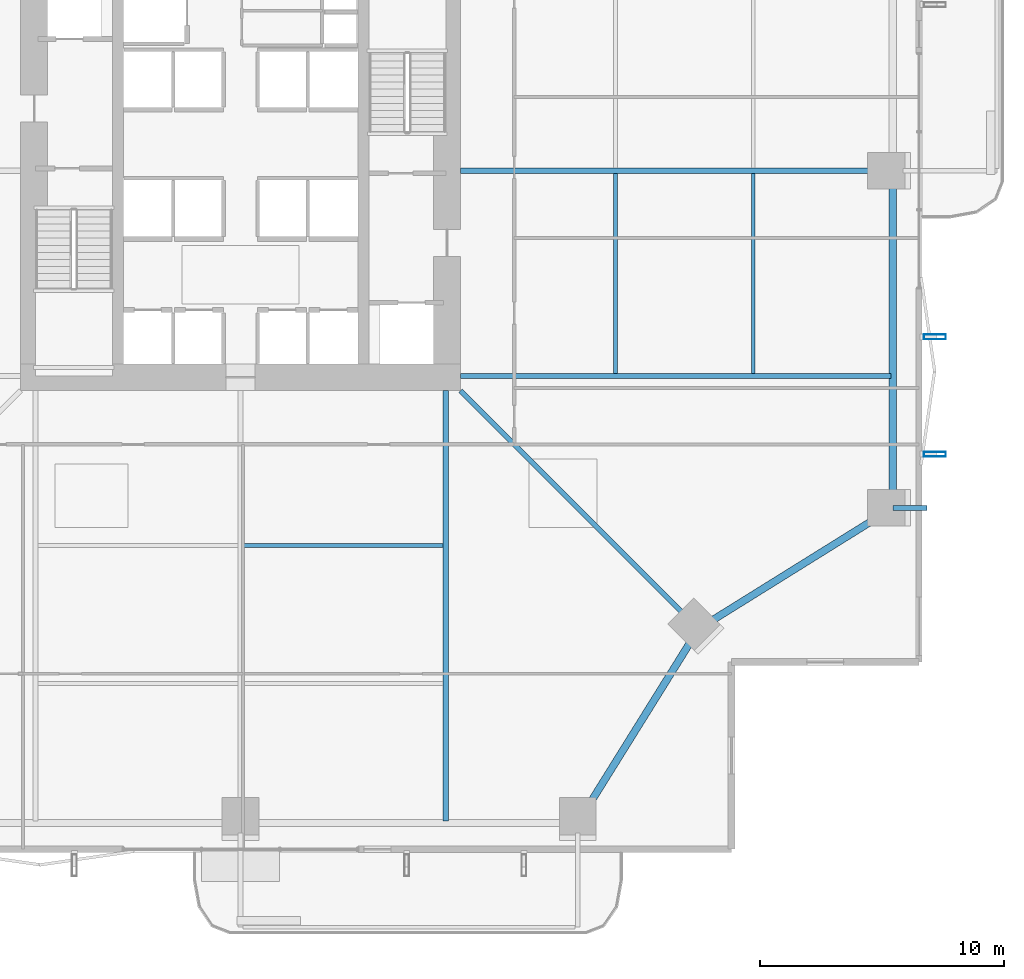
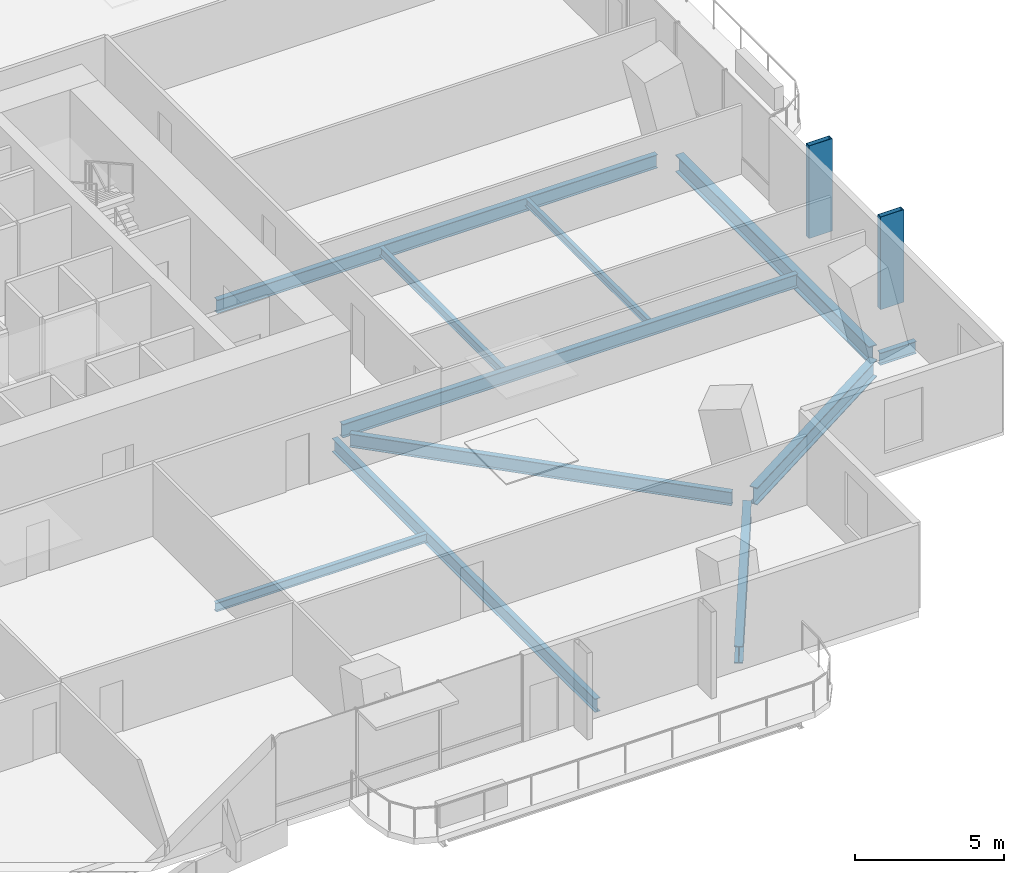
# One storey, part 7 of 24: 11 beams, 2 members.
"""IFC4 building model written with IfcOpenShell, lengths in metres."""

from ifc_helpers import new_model, si_unit, direction, frame, origin, origin_2d, place, context, subcontext, project, spatial, hollow_rectangle, i_section, extrude, material, material_profile, profile_set, type_object, element, save


model = new_model("IFC4")

# Units and contexts
model_context = context("Model", 3, precision=1e-05, world=origin(), true_north=direction((0.0, 1.0)))
body_context = subcontext(model_context, "Body", "Model", "MODEL_VIEW")
ifc_project = project(units=[si_unit("LENGTHUNIT", "METRE"), si_unit("AREAUNIT", "SQUARE_METRE"), si_unit("VOLUMEUNIT", "CUBIC_METRE"), si_unit("PLANEANGLEUNIT", "RADIAN"), si_unit("MASSUNIT", "GRAM", prefix="KILO")], contexts=[model_context])

# Site, building, storey
site_placement = place(None, origin())
site = spatial("IfcSite", under=ifc_project, at=site_placement, CompositionType="ELEMENT")
building_placement = place(site_placement, origin())
building = spatial("IfcBuilding", under=site, at=building_placement, Name="Belovzor Exchange Tower", CompositionType="ELEMENT")
storey_placement = place(building_placement, frame((0.0, 0.0, 104.10009765625)))
storey = spatial("IfcBuildingStorey", under=building, at=storey_placement, Name="L25", CompositionType="ELEMENT", Elevation=104.10009765625)

# Beams
ifc_material_1 = material(Name="Steel S355", Category="steel")
ifc_material_profile_1 = material_profile(ifc_material_1, i_section(OverallWidth=0.199951171875, OverallDepth=0.5, WebThickness=0.01025390625, FlangeThickness=0.01611328125, at=origin_2d()))
ifc_profile_set_1 = profile_set([ifc_material_profile_1], Name="Steel S355")
beam_type_1 = type_object("IfcBeamType", Name="Planted Balcony Cantilever Beam IPE 500", PredefinedType="BEAM", material=ifc_profile_set_1)
beam_1_placement = place(storey_placement, frame((55.5, 15.0, -0.5), z_axis=(1.0, 0.0, 0.0), x_axis=(0.0, 1.0, 0.0)))
element("IfcBeam", 1, at=beam_1_placement, inside=storey, type_object=beam_type_1, Name="BC-500 Planted Balcony Cantilever Beam IPE 500", PredefinedType="BEAM", context=body_context, shape_type="SweptSolid", body=[
    extrude(i_section(OverallWidth=0.199951171875, OverallDepth=0.5, WebThickness=0.01025390625, FlangeThickness=0.01611328125, at=origin_2d()), origin(), (0.0, 0.0, 1.0), 1.39990234375),
])
ifc_material_2 = material(Name="Steel S355", Category="steel")
ifc_material_profile_2 = material_profile(ifc_material_2, i_section(OverallWidth=0.169921875, OverallDepth=0.360107421875, WebThickness=0.008056640625, FlangeThickness=0.0126953125, at=origin_2d()))
ifc_profile_set_2 = profile_set([ifc_material_profile_2], Name="Steel S355")
beam_type_2 = type_object("IfcBeamType", Name="Secondary Infill Floor Joist IPE 360", PredefinedType="BEAM", material=ifc_profile_set_2)
beam_2_placement = place(storey_placement, frame((28.905029296875, 13.455078125, -0.43017578125), z_axis=(1.0, 0.0, 0.0), x_axis=(0.0, 1.0, 0.0)))
element("IfcBeam", 2, at=beam_2_placement, inside=storey, type_object=beam_type_2, Name="FJ-360 Secondary Infill Floor Joist IPE 360", PredefinedType="BEAM", context=body_context, shape_type="SweptSolid", body=[
    extrude(i_section(OverallWidth=0.169921875, OverallDepth=0.360107421875, WebThickness=0.008056640625, FlangeThickness=0.0126953125, at=origin_2d()), origin(), (0.0, 0.0, 1.0), 8.18994140625),
])
beam_3_placement = place(storey_placement, frame((44.14501953125, 20.5048828125, -0.43017578125), z_axis=(0.0, 1.0, 0.0), x_axis=(-1.0, 0.0, 0.0)))
element("IfcBeam", 3, at=beam_3_placement, inside=storey, type_object=beam_type_2, Name="FJ-360 Secondary Infill Floor Joist IPE 360", PredefinedType="BEAM", context=body_context, shape_type="SweptSolid", body=[
    extrude(i_section(OverallWidth=0.169921875, OverallDepth=0.360107421875, WebThickness=0.008056640625, FlangeThickness=0.0126953125, at=origin_2d()), origin(), (0.0, 0.0, 1.0), 8.190185546875),
])
ifc_material_3 = material(Name="Steel S355", Category="steel")
ifc_material_profile_3 = material_profile(ifc_material_3, i_section(OverallWidth=0.14990234375, OverallDepth=0.300048828125, WebThickness=0.007080078125, FlangeThickness=0.0107421875, at=origin_2d()))
ifc_profile_set_3 = profile_set([ifc_material_profile_3], Name="Steel S355")
beam_type_3 = type_object("IfcBeamType", Name="Secondary Trim Floor Joist IPE 300", PredefinedType="BEAM", material=ifc_profile_set_3)
beam_4_placement = place(storey_placement, frame((49.784912109375, 20.5048828125, -0.400146484375), z_axis=(0.0, 1.0, 0.0), x_axis=(-1.0, 0.0, 0.0)))
element("IfcBeam", 4, at=beam_4_placement, inside=storey, type_object=beam_type_3, Name="FJ-300 Secondary Trim Floor Joist IPE 300", PredefinedType="BEAM", context=body_context, shape_type="SweptSolid", body=[
    extrude(i_section(OverallWidth=0.14990234375, OverallDepth=0.300048828125, WebThickness=0.007080078125, FlangeThickness=0.0107421875, at=origin_2d()), origin(), (0.0, 0.0, 1.0), 8.190185546875),
])

# Members
ifc_material_4 = material(Name="Extruded Architectural Terracotta on Steel S355 Carrier", Category="masonry")
ifc_material_profile_4 = material_profile(ifc_material_4, hollow_rectangle(XDim=0.199951171875, YDim=0.89990234375, WallThickness=0.011962890625, at=origin_2d()))
ifc_profile_set_4 = profile_set([ifc_material_profile_4], Name="Extruded Architectural Terracotta on Steel S355 Carrier")
member_type = type_object("IfcMemberType", Name="Sweeping Terracotta Baguette Fin Assembly 1250", PredefinedType="USERDEFINED", material=ifc_profile_set_4)
for number, where, z_axis, x_axis, name in (
    (5, (57.22509765625, 17.199951171875, -0.25), (0.0, 0.0, 1.0), (0.0, 1.0, 0.0), "FIN-TC125 Terracotta Facade Fin L25 E1"),
    (6, (57.22509765625, 22.0, -0.25), (0.0, 0.0, 1.0), (0.0, 1.0, 0.0), "FIN-TC125 Terracotta Facade Fin L25 E2"),
):
    element("IfcMember", number, at=place(storey_placement, frame(where, z_axis=z_axis, x_axis=x_axis)), inside=storey, type_object=member_type, Name=name, ObjectType="FIN", PredefinedType="USERDEFINED", context=body_context, shape_type="SweptSolid", body=[
        extrude(hollow_rectangle(XDim=0.199951171875, YDim=0.89990234375, WallThickness=0.011962890625, at=origin_2d()), origin(), (0.0, 0.0, 1.0), 3.789794921875),
    ])

# Beams
ifc_material_5 = material(Name="Steel S355", Category="steel")
ifc_material_profile_5 = material_profile(ifc_material_5, i_section(OverallWidth=0.300048828125, OverallDepth=0.699951171875, WebThickness=0.01708984375, FlangeThickness=0.031982421875, at=origin_2d()))
ifc_profile_set_5 = profile_set([ifc_material_profile_5], Name="Steel S355")
beam_type_4 = type_object("IfcBeamType", Name="Zone 1 Primary Perimeter Girder HEB 700", PredefinedType="BEAM", material=ifc_profile_set_5)
for number, where, z_axis, x_axis, name in (
    (7, (42.818115234375, 2.449951171875, -0.60009765625), (0.528538629686, 0.848909251292, 0.0), (-0.848909251292, 0.528538629686, 0.0), "FG-Z1 Zone 1 Primary Perimeter Girder HEB 700"),
    (8, (47.89990234375, 10.26806640625, -0.60009765625), (0.848909251292, 0.528538629686, 0.0), (-0.528538629686, 0.848909251292, 0.0), "FG-Z1 Zone 1 Primary Perimeter Girder HEB 700"),
):
    element("IfcBeam", number, at=place(storey_placement, frame(where, z_axis=z_axis, x_axis=x_axis)), inside=storey, type_object=beam_type_4, Name=name, PredefinedType="BEAM", context=body_context, shape_type="SweptSolid", body=[
        extrude(i_section(OverallWidth=0.300048828125, OverallDepth=0.699951171875, WebThickness=0.01708984375, FlangeThickness=0.031982421875, at=origin_2d()), origin(), (0.0, 0.0, 1.0), 8.540283203125),
    ])
beam_5_placement = place(storey_placement, frame((55.5, 15.412109375, -0.60009765625), z_axis=(0.0, 1.0, 0.0), x_axis=(-1.0, 0.0, 0.0)))
element("IfcBeam", 9, at=beam_5_placement, inside=storey, type_object=beam_type_4, Name="FG-Z1 Zone 1 Primary Perimeter Girder HEB 700", PredefinedType="BEAM", context=body_context, shape_type="SweptSolid", body=[
    extrude(i_section(OverallWidth=0.300048828125, OverallDepth=0.699951171875, WebThickness=0.01708984375, FlangeThickness=0.031982421875, at=origin_2d()), origin(), (0.0, 0.0, 1.0), 12.974853515625),
])
ifc_material_6 = material(Name="Steel S355", Category="steel")
ifc_material_profile_6 = material_profile(ifc_material_6, i_section(OverallWidth=0.2099609375, OverallDepth=0.550048828125, WebThickness=0.010986328125, FlangeThickness=0.01708984375, at=origin_2d()))
ifc_profile_set_6 = profile_set([ifc_material_profile_6], Name="Steel S355")
beam_type_5 = type_object("IfcBeamType", Name="Zone 1 Radial Composite Floor Beam IPE 550", PredefinedType="BEAM", material=ifc_profile_set_6)
for number, where, z_axis, x_axis, name in (
    (10, (37.199951171875, 19.800048828125, -0.525146484375), (0.0, -1.0, 0.0), (1.0, 0.0, 0.0), "FB-550 Zone 1 Radial Composite Floor Beam IPE 550"),
    (11, (37.800048828125, 20.39990234375, -0.525146484375), (1.0, 0.0, 0.0), (0.0, 1.0, 0.0), "FB-550 Zone 1 Radial Composite Floor Beam IPE 550"),
):
    element("IfcBeam", number, at=place(storey_placement, frame(where, z_axis=z_axis, x_axis=x_axis)), inside=storey, type_object=beam_type_5, Name=name, PredefinedType="BEAM", context=body_context, shape_type="SweptSolid", body=[
        extrude(i_section(OverallWidth=0.2099609375, OverallDepth=0.550048828125, WebThickness=0.010986328125, FlangeThickness=0.01708984375, at=origin_2d()), origin(), (0.0, 0.0, 1.0), 17.625),
    ])
beam_6_placement = place(storey_placement, frame((37.800048828125, 28.800048828125, -0.525146484375), z_axis=(1.0, 0.0, 0.0), x_axis=(0.0, 1.0, 0.0)))
element("IfcBeam", 12, at=beam_6_placement, inside=storey, type_object=beam_type_5, Name="FB-550 Zone 1 Radial Composite Floor Beam IPE 550", PredefinedType="BEAM", context=body_context, shape_type="SweptSolid", body=[
    extrude(i_section(OverallWidth=0.2099609375, OverallDepth=0.550048828125, WebThickness=0.010986328125, FlangeThickness=0.01708984375, at=origin_2d()), origin(), (0.0, 0.0, 1.0), 17.0400390625),
])
beam_7_placement = place(storey_placement, frame((37.800048828125, 19.800048828125, -0.525146484375), z_axis=(0.707106781187, -0.707106781187, 0.0), x_axis=(0.707106781187, 0.707106781187, 0.0)))
element("IfcBeam", 13, at=beam_7_placement, inside=storey, type_object=beam_type_5, Name="FB-550 Zone 1 Radial Composite Floor Beam IPE 550", PredefinedType="BEAM", context=body_context, shape_type="SweptSolid", body=[
    extrude(i_section(OverallWidth=0.2099609375, OverallDepth=0.550048828125, WebThickness=0.010986328125, FlangeThickness=0.01708984375, at=origin_2d()), origin(), (0.0, 0.0, 1.0), 13.25830078125),
])

save(model, "model.ifc")
